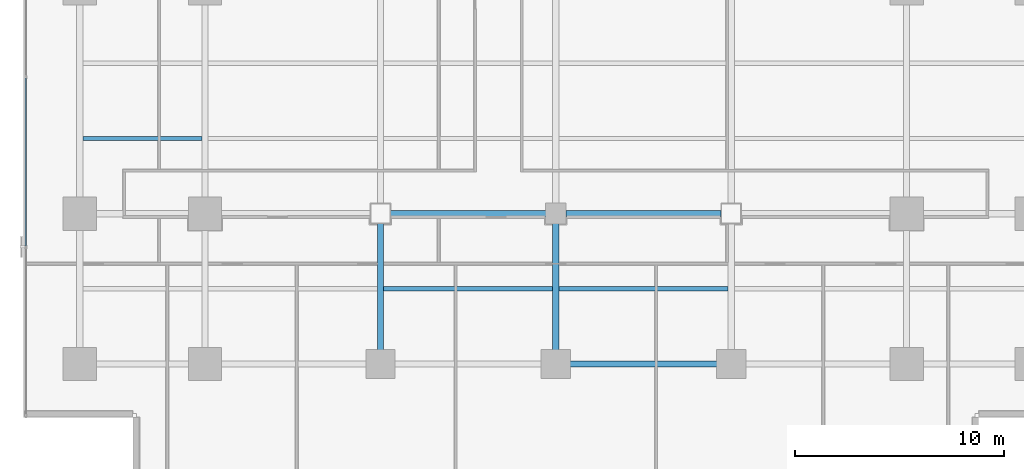
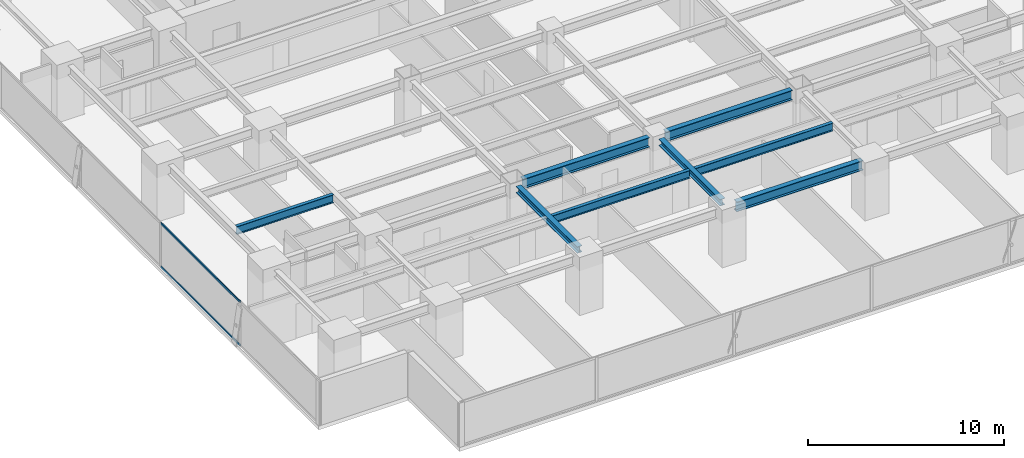
# One storey, part 7 of 37: 8 beams, 2 members, 1 element without a shape of its own.
"""IFC4 building model written with IfcOpenShell, lengths in metres."""

from ifc_helpers import new_model, si_unit, direction, frame, origin, origin_2d, place, context, subcontext, project, spatial, hollow_rectangle, i_section, extrude, source, transform, mapped, material, layer, layer_set, material_profile, profile_set, type_object, element, aggregate, save


model = new_model("IFC4")

# Units and contexts
model_context = context("Model", 3, precision=1e-05, world=origin(), true_north=direction((0.0, 1.0)))
body_context = subcontext(model_context, "Body", "Model", "MODEL_VIEW")
ifc_project = project(units=[si_unit("LENGTHUNIT", "METRE"), si_unit("AREAUNIT", "SQUARE_METRE"), si_unit("VOLUMEUNIT", "CUBIC_METRE"), si_unit("PLANEANGLEUNIT", "RADIAN"), si_unit("MASSUNIT", "GRAM", prefix="KILO")], contexts=[model_context])

# Site, building, storey
site_placement = place(None, origin())
site = spatial("IfcSite", under=ifc_project, at=site_placement, CompositionType="ELEMENT")
building_placement = place(site_placement, origin())
building = spatial("IfcBuilding", under=site, at=building_placement, Name="Sumidabori Civic Tower", CompositionType="ELEMENT")
storey_placement = place(building_placement, frame((0.0, 0.0, 88.39990234375)))
storey = spatial("IfcBuildingStorey", under=building, at=storey_placement, Name="L22", CompositionType="ELEMENT", Elevation=88.39990234375)

# Beams
ifc_material_1 = material(Name="Steel SN490", Category="steel")
ifc_material_profile_1 = material_profile(ifc_material_1, i_section(OverallWidth=0.300048828125, OverallDepth=0.60009765625, WebThickness=0.015380859375, FlangeThickness=0.030029296875, at=origin_2d()), Name="HE 600 B")
ifc_profile_set_1 = profile_set([ifc_material_profile_1], Name="Steel SN490")
beam_type_1 = type_object("IfcBeamType", Name="BM-GIRD-600", PredefinedType="BEAM", material=ifc_profile_set_1)
shared_shape_1 = source(origin(), body_context, "Body", "SweptSolid", [
    extrude(i_section(OverallWidth=0.300048828125, OverallDepth=0.60009765625, WebThickness=0.015380859375, FlangeThickness=0.030029296875, at=origin_2d()), origin(), (0.0, 0.0, 1.0), 7.43994140625),
])
for number, where, z_axis, x_axis, name in (
    (1, (0.47998046875, -18.0, 3.06005859375), (1.0, 0.0, 0.0), (0.0, 1.0, 0.0), "Primary Girder L22 GX-04"),
    (2, (-7.919921875, -10.800048828125, 3.06005859375), (1.0, 0.0, 0.0), (0.0, 1.0, 0.0), "Primary Girder L22 GX-09"),
    (3, (0.47998046875, -10.800048828125, 3.06005859375), (1.0, 0.0, 0.0), (0.0, 1.0, 0.0), "Primary Girder L22 GX-10"),
):
    element("IfcBeam", number, at=place(storey_placement, frame(where, z_axis=z_axis, x_axis=x_axis)), inside=storey, type_object=beam_type_1, Name=name, PredefinedType="BEAM", context=body_context, shape_type="MappedRepresentation", body=[
        mapped(shared_shape_1, transform((0.0, 0.0, 0.0), x_axis=(1.0, 0.0, 0.0), y_axis=(0.0, 1.0, 0.0), z_axis=(0.0, 0.0, 1.0), scale=1.0)),
    ])
ifc_material_profile_2 = material_profile(ifc_material_1, i_section(OverallWidth=0.300048828125, OverallDepth=0.39990234375, WebThickness=0.013427734375, FlangeThickness=0.02392578125, at=origin_2d()), Name="HE 400 B")
ifc_profile_set_2 = profile_set([ifc_material_profile_2], Name="Steel SN490")
beam_type_2 = type_object("IfcBeamType", Name="BM-GIRD-400", PredefinedType="BEAM", material=ifc_profile_set_2)
shared_shape_2 = source(origin(), body_context, "Body", "SweptSolid", [
    extrude(i_section(OverallWidth=0.300048828125, OverallDepth=0.39990234375, WebThickness=0.013427734375, FlangeThickness=0.02392578125, at=origin_2d()), origin(), (0.0, 0.0, 1.0), 6.239990234375),
])
for number, where, z_axis, x_axis, name in (
    (4, (-8.39990234375, -17.52001953125, 3.16015625), (0.0, 1.0, 0.0), (-1.0, 0.0, 0.0), "Primary Girder L22 GY-29"),
    (5, (0.0, -17.52001953125, 3.16015625), (0.0, 1.0, 0.0), (-1.0, 0.0, 0.0), "Primary Girder L22 GY-31"),
):
    element("IfcBeam", number, at=place(storey_placement, frame(where, z_axis=z_axis, x_axis=x_axis)), inside=storey, type_object=beam_type_2, Name=name, PredefinedType="BEAM", context=body_context, shape_type="MappedRepresentation", body=[
        mapped(shared_shape_2, transform((0.0, 0.0, 0.0), x_axis=(1.0, 0.0, 0.0), y_axis=(0.0, 1.0, 0.0), z_axis=(0.0, 0.0, 1.0), scale=1.0)),
    ])
ifc_material_profile_3 = material_profile(ifc_material_1, i_section(OverallWidth=0.199951171875, OverallDepth=0.5, WebThickness=0.01025390625, FlangeThickness=0.01611328125, at=origin_2d()), Name="IPE 500")
ifc_profile_set_3 = profile_set([ifc_material_profile_3], Name="Steel SN490")
beam_type_3 = type_object("IfcBeamType", Name="BM-JST-500", PredefinedType="JOIST", material=ifc_profile_set_3)
shared_shape_3 = source(origin(), body_context, "Body", "SweptSolid", [
    extrude(i_section(OverallWidth=0.199951171875, OverallDepth=0.5, WebThickness=0.01025390625, FlangeThickness=0.01611328125, at=origin_2d()), origin(), (0.0, 0.0, 1.0), 5.699951171875),
])
beam_placement = place(storey_placement, frame((-22.64990234375, -7.199951171875, 3.110107421875), z_axis=(1.0, 0.0, 0.0), x_axis=(0.0, 1.0, 0.0)))
element("IfcBeam", 6, at=beam_placement, inside=storey, type_object=beam_type_3, Name="Outer Bay Floor Joist L22 JSTO-43", PredefinedType="JOIST", context=body_context, shape_type="MappedRepresentation", body=[
    mapped(shared_shape_3, transform((0.0, 0.0, 0.0), x_axis=(1.0, 0.0, 0.0), y_axis=(0.0, 1.0, 0.0), z_axis=(0.0, 0.0, 1.0), scale=1.0)),
])
shared_shape_4 = source(origin(), body_context, "Body", "SweptSolid", [
    extrude(i_section(OverallWidth=0.199951171875, OverallDepth=0.5, WebThickness=0.01025390625, FlangeThickness=0.01611328125, at=origin_2d()), origin(), (0.0, 0.0, 1.0), 8.10009765625),
])
for number, where, z_axis, x_axis, name in (
    (7, (-8.25, -14.39990234375, 3.110107421875), (1.0, 0.0, 0.0), (0.0, 1.0, 0.0), "South Bay Floor Joist L22 JSTS-56"),
    (8, (0.14990234375, -14.39990234375, 3.110107421875), (1.0, 0.0, 0.0), (0.0, 1.0, 0.0), "South Bay Floor Joist L22 JSTS-57"),
):
    element("IfcBeam", number, at=place(storey_placement, frame(where, z_axis=z_axis, x_axis=x_axis)), inside=storey, type_object=beam_type_3, Name=name, PredefinedType="JOIST", context=body_context, shape_type="MappedRepresentation", body=[
        mapped(shared_shape_4, transform((0.0, 0.0, 0.0), x_axis=(1.0, 0.0, 0.0), y_axis=(0.0, 1.0, 0.0), z_axis=(0.0, 0.0, 1.0), scale=1.0)),
    ])

# Curtain wall, members
ifc_material_2 = material(Name="Anodised Bronze Aluminium AW-6063-T6", Category="aluminium")
ifc_layer = layer(ifc_material_2, 0.179931640625, Name="Anodised Bronze Aluminium AW-6063-T6")
ifc_layer_set = layer_set([ifc_layer], Name="Anodised Bronze Aluminium AW-6063-T6")
curtain_wall_type = type_object("IfcCurtainWallType", Name="CW-SYS-3", PredefinedType="NOTDEFINED", material=ifc_layer_set)
curtain_wall_placement = place(storey_placement, origin())
curtain_wall = element("IfcCurtainWall", 9, at=curtain_wall_placement, inside=storey, type_object=curtain_wall_type, Name="Curtain Wall CW:L22:R10", PredefinedType="NOTDEFINED")
ifc_material_profile_4 = material_profile(ifc_material_2, hollow_rectangle(XDim=0.06005859375, YDim=0.1298828125, WallThickness=0.0048828125, at=origin_2d()), Name="ALU TRANSOM 130x60")
ifc_profile_set_4 = profile_set([ifc_material_profile_4], Name="Anodised Bronze Aluminium AW-6063-T6")
member_type = type_object("IfcMemberType", Name="CW-TRN-130", PredefinedType="USERDEFINED", material=ifc_profile_set_4)
shared_shape_5 = source(origin(), body_context, "Body", "SweptSolid", [
    extrude(hollow_rectangle(XDim=0.06005859375, YDim=0.1298828125, WallThickness=0.0048828125, at=origin_2d()), origin(), (0.0, 0.0, 1.0), 8.063232421875),
])
member_1_placement = place(storey_placement, frame((-25.3798828125, -4.29638671875, 0.030029296875), z_axis=(0.0, -1.0, 0.0), x_axis=(1.0, 0.0, 0.0)))
member_1 = element("IfcMember", 10, at=member_1_placement, type_object=member_type, Name="CW-3 transom 4.1", ObjectType="TRANSOM", PredefinedType="USERDEFINED", context=body_context, shape_type="MappedRepresentation", body=[
    mapped(shared_shape_5, transform((0.0, 0.0, 0.0), x_axis=(1.0, 0.0, 0.0), y_axis=(0.0, 1.0, 0.0), z_axis=(0.0, 0.0, 1.0), scale=1.0)),
])
member_2_placement = place(storey_placement, frame((-25.3798828125, -4.29638671875, 2.710205078125), z_axis=(0.0, -1.0, 0.0), x_axis=(1.0, 0.0, 0.0)))
member_2 = element("IfcMember", 11, at=member_2_placement, type_object=member_type, Name="CW-3 transom 4.2", ObjectType="TRANSOM", PredefinedType="USERDEFINED", context=body_context, shape_type="MappedRepresentation", body=[
    mapped(shared_shape_5, transform((0.0, 0.0, 0.0), x_axis=(1.0, 0.0, 0.0), y_axis=(0.0, 1.0, 0.0), z_axis=(0.0, 0.0, 1.0), scale=1.0)),
])
aggregate(curtain_wall, [member_1, member_2])

save(model, "model.ifc")
